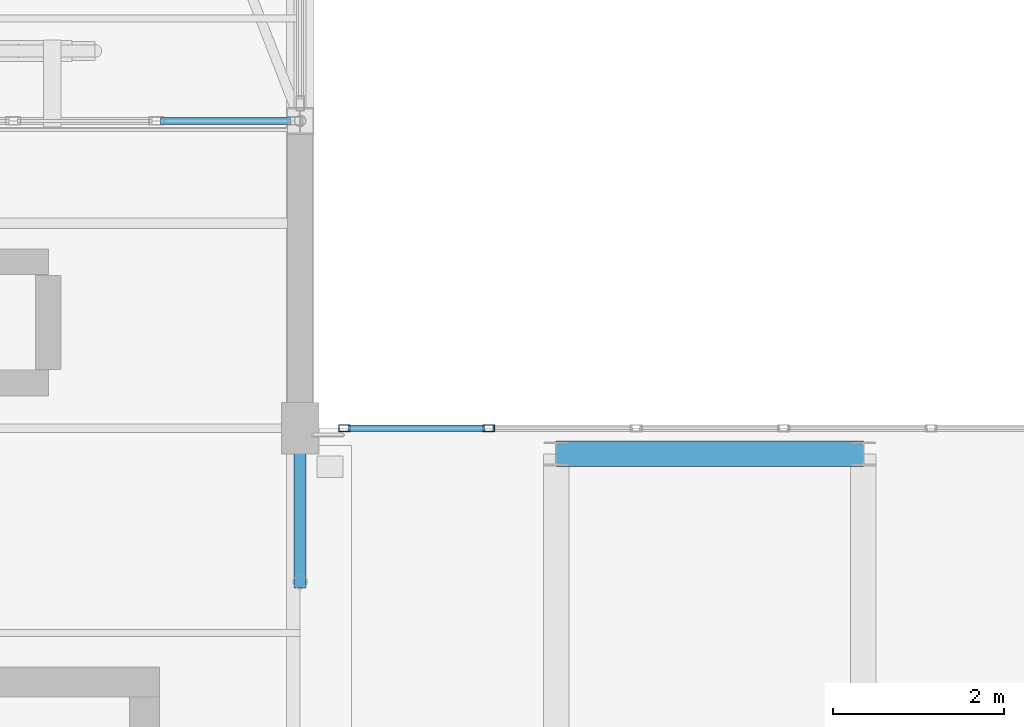
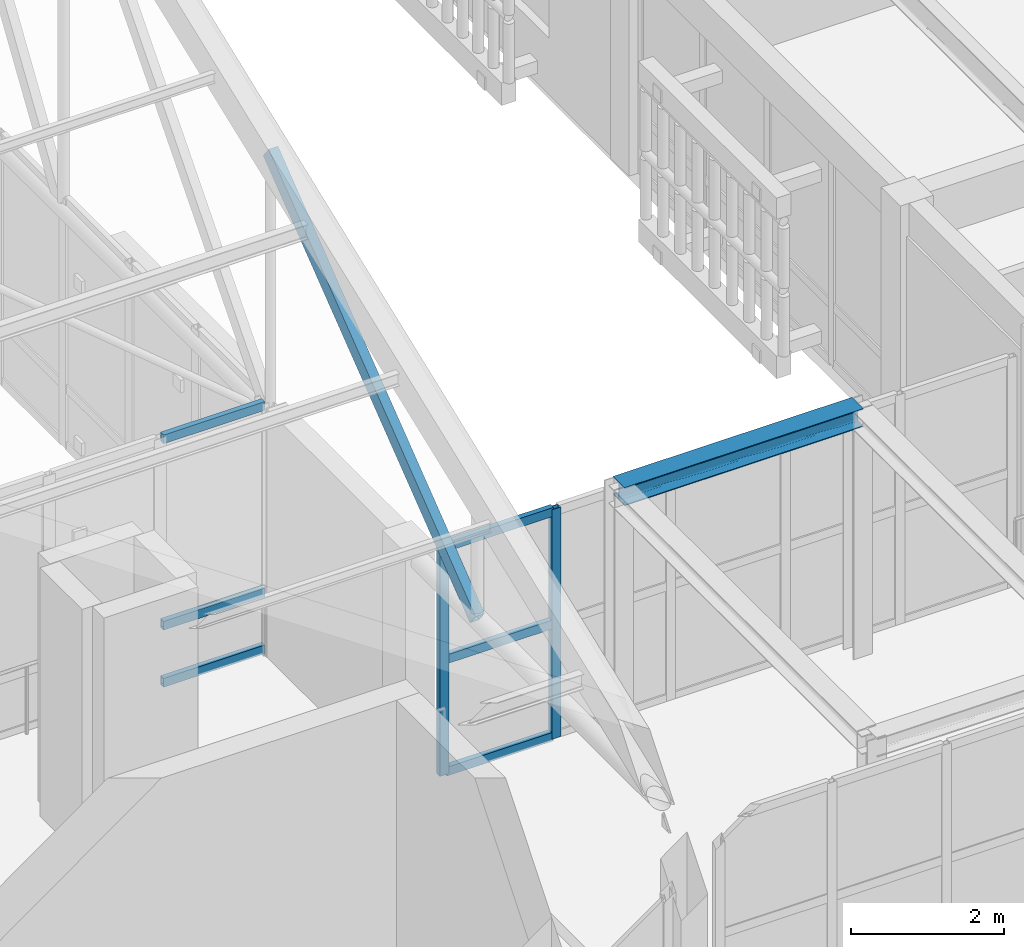
# One storey, part 107 of 217: 9 members, 1 beam, 2 elements without a shape of their own.
"""IFC4 building model written with IfcOpenShell, lengths in metres."""

from ifc_helpers import new_model, si_unit, direction, frame, origin, origin_2d, place, context, subcontext, project, spatial, hollow_rectangle, i_section, extrude, material, layer, layer_set, material_profile, profile_set, type_object, element, aggregate, save


model = new_model("IFC4")

# Units and contexts
model_context = context("Model", 3, precision=1e-05, world=origin(), true_north=direction((0.0, 1.0)))
body_context = subcontext(model_context, "Body", "Model", "MODEL_VIEW")
ifc_project = project(units=[si_unit("LENGTHUNIT", "METRE"), si_unit("AREAUNIT", "SQUARE_METRE"), si_unit("VOLUMEUNIT", "CUBIC_METRE"), si_unit("PLANEANGLEUNIT", "RADIAN"), si_unit("MASSUNIT", "GRAM", prefix="KILO")], contexts=[model_context])

# Site, building, storey
site_placement = place(None, origin())
site = spatial("IfcSite", under=ifc_project, at=site_placement, CompositionType="ELEMENT")
building_placement = place(site_placement, origin())
building = spatial("IfcBuilding", under=site, at=building_placement, Name="Mazaris Harbour Polytechnic", CompositionType="ELEMENT")
storey_placement = place(building_placement, frame((0.0, 0.0, 9.60009765625)))
storey = spatial("IfcBuildingStorey", under=building, at=storey_placement, Name="L02", CompositionType="ELEMENT", Elevation=9.60009765625)

# Curtain wall, members
ifc_material_1 = material(Name="Anodised Bronze Aluminium and Low-E Glass", Category="aluminium")
ifc_layer_1 = layer(ifc_material_1, 0.139892578125, Name="Anodised Bronze Aluminium and Low-E Glass")
ifc_layer_set_1 = layer_set([ifc_layer_1], Name="Anodised Bronze Aluminium and Low-E Glass")
curtain_wall_type_1 = type_object("IfcCurtainWallType", Name="Seismic Link Bridge Glazing", PredefinedType="NOTDEFINED", material=ifc_layer_set_1)
curtain_wall_1_placement = place(storey_placement, origin())
curtain_wall_1 = element("IfcCurtainWall", 1, at=curtain_wall_1_placement, inside=storey, type_object=curtain_wall_type_1, Name="PB-E2 L02 Bridge Glazing", PredefinedType="NOTDEFINED")
ifc_material_2 = material(Name="Anodised Bronze Steel S355", Category="steel")
ifc_material_profile_1 = material_profile(ifc_material_2, hollow_rectangle(XDim=0.080078125, YDim=0.139892578125, WallThickness=0.00634765625, at=origin_2d()), Name="RHS 80x140x6.3")
ifc_profile_set_1 = profile_set([ifc_material_profile_1], Name="Anodised Bronze Steel S355")
member_type_1 = type_object("IfcMemberType", Name="Curtain Mullion RHS80x140", PredefinedType="MULLION", material=ifc_profile_set_1)
member_1_placement = place(storey_placement, frame((115.008056640625, 82.800048828125, 0.0), z_axis=(0.0, 0.0, 1.0), x_axis=(0.0, -1.0, 0.0)))
member_1 = element("IfcMember", 2, at=member_1_placement, type_object=member_type_1, Name="CW-05 mullion 5", PredefinedType="MULLION", context=body_context, shape_type="SweptSolid", body=[
    extrude(hollow_rectangle(XDim=0.080078125, YDim=0.139892578125, WallThickness=0.00634765625, at=origin_2d()), origin(), (0.0, 0.0, 1.0), 3.659912109375),
])
member_2_placement = place(storey_placement, frame((113.320068359375, 82.800048828125, 0.0), z_axis=(0.0, 0.0, 1.0), x_axis=(0.0, -1.0, 0.0)))
member_2 = element("IfcMember", 3, at=member_2_placement, type_object=member_type_1, Name="CW-05 mullion 6", PredefinedType="MULLION", context=body_context, shape_type="SweptSolid", body=[
    extrude(hollow_rectangle(XDim=0.080078125, YDim=0.139892578125, WallThickness=0.00634765625, at=origin_2d()), origin(), (0.0, 0.0, 1.0), 3.659912109375),
])

ifc_material_3 = material(Name="Anodised Bronze Aluminium and Low-E Glass", Category="aluminium")
ifc_layer_2 = layer(ifc_material_3, 0.14990234375, Name="Anodised Bronze Aluminium and Low-E Glass")
ifc_layer_set_2 = layer_set([ifc_layer_2], Name="Anodised Bronze Aluminium and Low-E Glass")
curtain_wall_type_2 = type_object("IfcCurtainWallType", Name="Workshop Clerestory Curtain Wall", PredefinedType="NOTDEFINED", material=ifc_layer_set_2)
curtain_wall_2_placement = place(storey_placement, origin())
curtain_wall_2 = element("IfcCurtainWall", 4, at=curtain_wall_2_placement, inside=storey, type_object=curtain_wall_type_2, Name="V1 L02 Curtain Wall 32", PredefinedType="NOTDEFINED")
ifc_material_4 = material(Name="Anodised Bronze Steel S355", Category="steel")
ifc_material_profile_2 = material_profile(ifc_material_4, hollow_rectangle(XDim=0.080078125, YDim=0.139892578125, WallThickness=0.00634765625, at=origin_2d()), Name="RHS 80x140x6.3")
ifc_profile_set_2 = profile_set([ifc_material_profile_2], Name="Anodised Bronze Steel S355")
member_type_2 = type_object("IfcMemberType", Name="Curtain Transom RHS80x140", PredefinedType="USERDEFINED", material=ifc_profile_set_2)
member_3_placement = place(storey_placement, frame((111.165283203125, 86.39990234375, 0.039794921875), z_axis=(1.0, 0.0, 0.0), x_axis=(0.0, 1.0, 0.0)))
member_3 = element("IfcMember", 5, at=member_3_placement, type_object=member_type_2, Name="CW-04 transom 5.1", ObjectType="TRANSOM", PredefinedType="USERDEFINED", context=body_context, shape_type="SweptSolid", body=[
    extrude(hollow_rectangle(XDim=0.080078125, YDim=0.139892578125, WallThickness=0.00634765625, at=origin_2d()), origin(), (0.0, 0.0, 1.0), 1.526611328125),
])
member_4_placement = place(storey_placement, frame((111.165283203125, 86.39990234375, 0.949951171875), z_axis=(1.0, 0.0, 0.0), x_axis=(0.0, 1.0, 0.0)))
member_4 = element("IfcMember", 6, at=member_4_placement, type_object=member_type_2, Name="CW-04 transom 5.2", ObjectType="TRANSOM", PredefinedType="USERDEFINED", context=body_context, shape_type="SweptSolid", body=[
    extrude(hollow_rectangle(XDim=0.080078125, YDim=0.139892578125, WallThickness=0.00634765625, at=origin_2d()), origin(), (0.0, 0.0, 1.0), 1.526611328125),
])
member_5_placement = place(storey_placement, frame((111.165283203125, 86.39990234375, 3.919921875), z_axis=(1.0, 0.0, 0.0), x_axis=(0.0, 1.0, 0.0)))
member_5 = element("IfcMember", 7, at=member_5_placement, type_object=member_type_2, Name="CW-04 transom 5.3", ObjectType="TRANSOM", PredefinedType="USERDEFINED", context=body_context, shape_type="SweptSolid", body=[
    extrude(hollow_rectangle(XDim=0.080078125, YDim=0.139892578125, WallThickness=0.00634765625, at=origin_2d()), origin(), (0.0, 0.0, 1.0), 1.526611328125),
])
aggregate(curtain_wall_2, [member_3, member_4, member_5])

# Member
member_6_placement = place(storey_placement, frame((114.968017578125, 82.800048828125, 0.039794921875), z_axis=(-1.0, 0.0, 0.0), x_axis=(0.0, -1.0, 0.0)))
member_6 = element("IfcMember", 8, at=member_6_placement, type_object=member_type_2, Name="CW-05 transom 5.1", ObjectType="TRANSOM", PredefinedType="USERDEFINED", context=body_context, shape_type="SweptSolid", body=[
    extrude(hollow_rectangle(XDim=0.080078125, YDim=0.139892578125, WallThickness=0.00634765625, at=origin_2d()), origin(), (0.0, 0.0, 1.0), 1.60791015625),
])

member_7_placement = place(storey_placement, frame((114.968017578125, 82.800048828125, 1.829833984375), z_axis=(-1.0, 0.0, 0.0), x_axis=(0.0, -1.0, 0.0)))
member_7 = element("IfcMember", 9, at=member_7_placement, type_object=member_type_2, Name="CW-05 transom 5.2", ObjectType="TRANSOM", PredefinedType="USERDEFINED", context=body_context, shape_type="SweptSolid", body=[
    extrude(hollow_rectangle(XDim=0.080078125, YDim=0.139892578125, WallThickness=0.00634765625, at=origin_2d()), origin(), (0.0, 0.0, 1.0), 1.60791015625),
])

member_8_placement = place(storey_placement, frame((114.968017578125, 82.800048828125, 3.619873046875), z_axis=(-1.0, 0.0, 0.0), x_axis=(0.0, -1.0, 0.0)))
member_8 = element("IfcMember", 10, at=member_8_placement, type_object=member_type_2, Name="CW-05 transom 5.3", ObjectType="TRANSOM", PredefinedType="USERDEFINED", context=body_context, shape_type="SweptSolid", body=[
    extrude(hollow_rectangle(XDim=0.080078125, YDim=0.139892578125, WallThickness=0.00634765625, at=origin_2d()), origin(), (0.0, 0.0, 1.0), 1.60791015625),
])

aggregate(curtain_wall_1, [member_1, member_2, member_6, member_7, member_8])

# Beam
ifc_material_5 = material(Name="Steel S355", Category="steel")
ifc_material_profile_3 = material_profile(ifc_material_5, i_section(OverallWidth=0.300048828125, OverallDepth=0.2900390625, WebThickness=0.008544921875, FlangeThickness=0.013916015625, FilletRadius=0.027099609375, at=origin_2d()), Name="HEA 300")
ifc_profile_set_3 = profile_set([ifc_material_profile_3], Name="Steel S355")
beam_type = type_object("IfcBeamType", Name="Steel Beam HEA300 Exterior", PredefinedType="SPANDREL", material=ifc_profile_set_3)
beam_placement = place(storey_placement, frame((115.800048828125, 82.5, 3.81494140625), z_axis=(1.0, 0.0, 0.0), x_axis=(0.0, 1.0, 0.0)))
element("IfcBeam", 11, at=beam_placement, inside=storey, type_object=beam_type, Name="PB-E2 L02 Bridge Beam 3470", PredefinedType="SPANDREL", context=body_context, shape_type="SweptSolid", body=[
    extrude(i_section(OverallWidth=0.300048828125, OverallDepth=0.2900390625, WebThickness=0.008544921875, FlangeThickness=0.013916015625, FilletRadius=0.027099609375, at=origin_2d()), origin(), (0.0, 0.0, 1.0), 3.599853515625),
])

# Member
ifc_material_6 = material(Name="Steel S355", Category="steel")
ifc_material_profile_4 = material_profile(ifc_material_6, hollow_rectangle(XDim=0.139892578125, YDim=0.239990234375, WallThickness=0.010009765625, at=origin_2d()), Name="RHS 140x240x10.0")
ifc_profile_set_4 = profile_set([ifc_material_profile_4], Name="Steel S355")
member_type_3 = type_object("IfcMemberType", Name="Steel Truss Diagonal RHS140x240", PredefinedType="BRACE", material=ifc_profile_set_4)
member_9_placement = place(storey_placement, frame((112.800048828125, 81.0, 3.75), z_axis=(0.0, 0.791132369746, 0.611644973445), x_axis=(-1.0, 0.0, 0.0)))
element("IfcMember", 12, at=member_9_placement, inside=storey, type_object=member_type_3, Name="Truss 8 Web Diagonal S2", PredefinedType="BRACE", context=body_context, shape_type="SweptSolid", body=[
    extrude(hollow_rectangle(XDim=0.139892578125, YDim=0.239990234375, WallThickness=0.010009765625, at=origin_2d()), origin(), (0.0, 0.0, 1.0), 6.825439453125),
])

save(model, "model.ifc")
